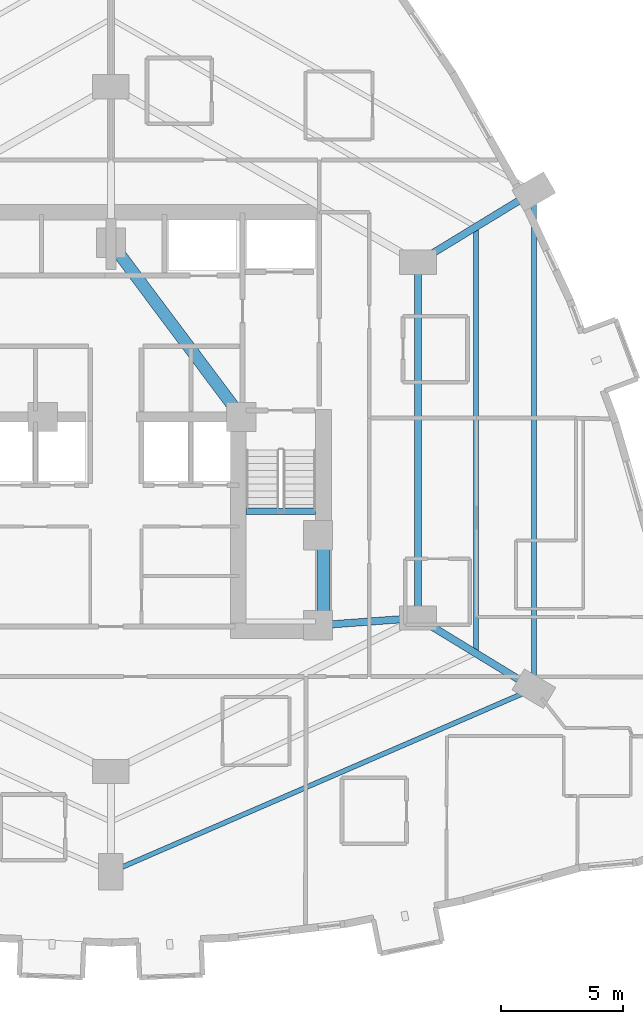
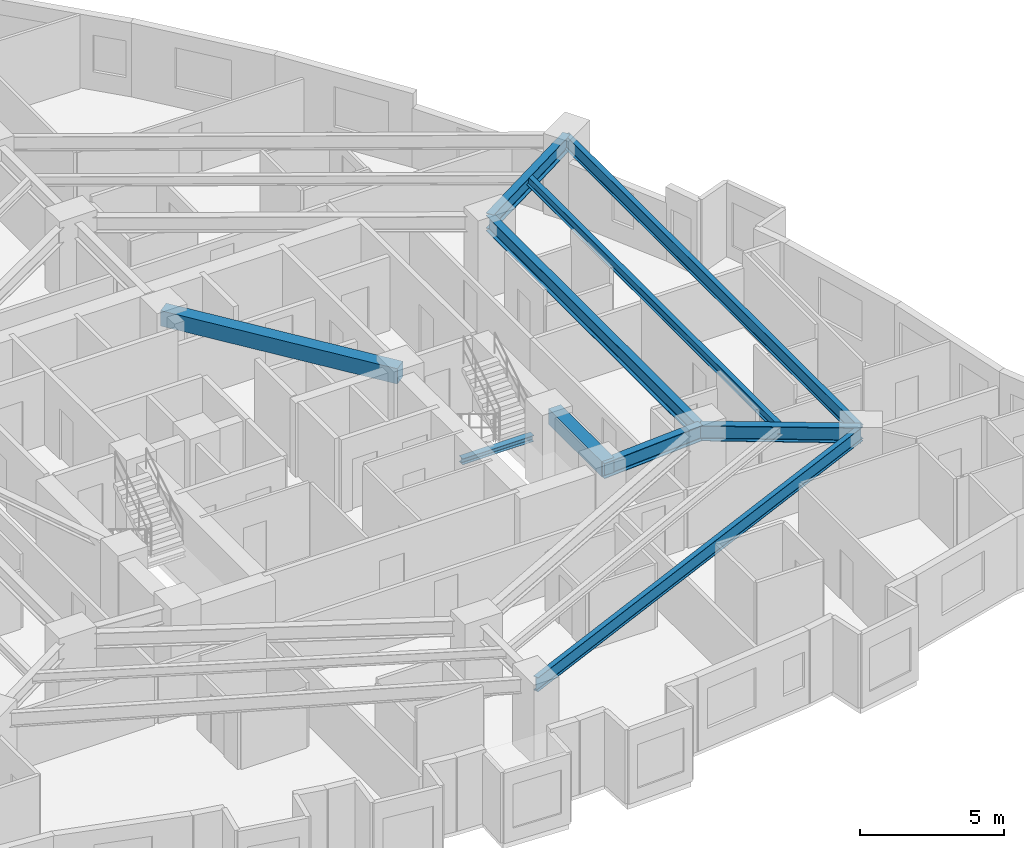
# One storey, part 3 of 17: 10 beams.
"""IFC4 building model written with IfcOpenShell, lengths in metres."""

import ifcopenshell
import ifcopenshell.guid

model = None  # the IFC model being written
_history = None  # IfcOwnerHistory: only IFC2X3 demands one
_inside = {}  # id of a spatial element -> (the spatial element, [elements in it])
_under = {}  # id of a project, library or spatial element -> (it, [spatial elements below it])
_declared = {}  # id of a project -> (the project, [libraries it declares])
_typed = {}  # id of a type object -> (the type object, [elements of that type])
_made_of = {}  # id of a material, layer set ... -> (it, [elements and type objects made of it])


def new_model(schema):
    """Start an empty IFC model of exactly this schema.

    Asked for "IFC4X3", IfcOpenShell would pick the latest addendum, in which some entities
    have other attributes; the version numbers below select the first issue.
    IFC2X3 requires an IfcOwnerHistory on every rooted entity: one is made here for all.
    """
    global model, _history
    if schema == "IFC4X3":
        model = ifcopenshell.file(schema_version=(4, 3, 0, 0))
    else:
        model = ifcopenshell.file(schema=schema)
    _inside.clear()
    _under.clear()
    _declared.clear()
    _typed.clear()
    _made_of.clear()
    _history = None
    if model.schema == "IFC2X3":
        org = make("IfcOrganization", Name="unknown")
        user = make(
            "IfcPersonAndOrganization",
            ThePerson=make("IfcPerson", FamilyName="unknown"),
            TheOrganization=org,
        )
        app = make(
            "IfcApplication",
            ApplicationDeveloper=org,
            Version="unknown",
            ApplicationFullName="unknown",
            ApplicationIdentifier="unknown",
        )
        _history = make(
            "IfcOwnerHistory",
            OwningUser=user,
            OwningApplication=app,
            ChangeAction="ADDED",
            CreationDate=0,
        )
    return model


def make(cls, **values):
    """One entity of the class cls with the attributes given. An attribute that is None is left unset."""
    return model.create_entity(
        cls, **{name: value for name, value in values.items() if value is not None}
    )


def rooted(cls, **values):
    """An entity with a GlobalId (a new one), such as an element, a storey or a relation."""
    return make(cls, GlobalId=ifcopenshell.guid.new(), OwnerHistory=_history, **values)


def si_unit(unit_type, name, prefix=None):
    """IfcSIUnit, for example si_unit("LENGTHUNIT", "METRE", prefix="MILLI")."""
    return make("IfcSIUnit", UnitType=unit_type, Prefix=prefix, Name=name)


def assignment(units):
    """IfcUnitAssignment: the units of a project."""
    return None if units is None else make("IfcUnitAssignment", Units=units)


def point(xyz):
    """IfcCartesianPoint."""
    return None if xyz is None else make("IfcCartesianPoint", Coordinates=xyz)


def direction(xyz):
    """IfcDirection."""
    return None if xyz is None else make("IfcDirection", DirectionRatios=xyz)


def frame(location, z_axis=None, x_axis=None):
    """IfcAxis2Placement3D, a coordinate frame: its origin and axes. An axis left out is left unset."""
    return make(
        "IfcAxis2Placement3D",
        Location=point(location),
        Axis=direction(z_axis),
        RefDirection=direction(x_axis),
    )


def frame_2d(location, x_axis=None):
    """IfcAxis2Placement2D, a coordinate frame in the plane: its origin and x axis."""
    return make(
        "IfcAxis2Placement2D", Location=point(location), RefDirection=direction(x_axis)
    )


def origin():
    """The frame at (0, 0, 0) with its axes left unset."""
    return frame((0.0, 0.0, 0.0))


def origin_2d():
    """The frame at (0, 0) in the plane with its x axis left unset."""
    return frame_2d((0.0, 0.0))


def place(relative_to, where):
    """IfcLocalPlacement: puts the frame where relative to a parent placement (None: the world)."""
    return make(
        "IfcLocalPlacement", PlacementRelTo=relative_to, RelativePlacement=where
    )


def context(
    kind, dimensions, precision=None, world=None, true_north=None, identifier=None
):
    """IfcGeometricRepresentationContext, for example the 3D "Model" context."""
    return make(
        "IfcGeometricRepresentationContext",
        ContextIdentifier=identifier,
        ContextType=kind,
        CoordinateSpaceDimension=dimensions,
        Precision=precision,
        WorldCoordinateSystem=world,
        TrueNorth=true_north,
    )


def subcontext(parent, identifier, kind, view, scale=None):
    """IfcGeometricRepresentationSubContext, for example "Body" below "Model"."""
    return make(
        "IfcGeometricRepresentationSubContext",
        ContextIdentifier=identifier,
        ContextType=kind,
        ParentContext=parent,
        TargetScale=scale,
        TargetView=view,
    )


def project(units=None, contexts=None):
    """IfcProject with its units and contexts."""
    return rooted(
        "IfcProject",
        Name="project",
        RepresentationContexts=contexts,
        UnitsInContext=assignment(units),
    )


def spatial(cls, under=None, at=None, **own):
    """A site, building, storey or space (cls), placed at a placement, below another one or the project."""
    s = rooted(cls, ObjectPlacement=at, **own)
    if under is not None:
        _under.setdefault(under.id(), (under, []))[1].append(s)
    return s


def profile(cls, at=None, kind="AREA", **sizes):
    """A parametric profile (cls). Its sizes go by their IFC names, for example OverallWidth=200.0."""
    return make(cls, ProfileType=kind, Position=at, **sizes)


def rectangle(**sizes):
    """IfcRectangleProfileDef."""
    return profile("IfcRectangleProfileDef", **sizes)


def i_section(**sizes):
    """IfcIShapeProfileDef."""
    return profile("IfcIShapeProfileDef", **sizes)


def extrude(swept, where, along, depth):
    """IfcExtrudedAreaSolid: the profile swept, set in the frame where, extruded along a direction by depth."""
    return make(
        "IfcExtrudedAreaSolid",
        SweptArea=swept,
        Position=where,
        ExtrudedDirection=direction(along),
        Depth=depth,
    )


def shape(context_of_items, identifier, shape_type, items):
    """IfcShapeRepresentation: the items that make up one representation, for example the "Body"."""
    return make(
        "IfcShapeRepresentation",
        ContextOfItems=context_of_items,
        RepresentationIdentifier=identifier,
        RepresentationType=shape_type,
        Items=items,
    )


def material(Name=None, Category=None):
    """IfcMaterial."""
    return make("IfcMaterial", Name=Name, Category=Category)


def material_profile(
    of_material, cross_section, Name=None, Category=None, Priority=None
):
    """IfcMaterialProfile: a cross section and its material."""
    return make(
        "IfcMaterialProfile",
        Name=Name,
        Material=of_material,
        Profile=cross_section,
        Priority=Priority,
        Category=Category,
    )


def profile_set(profiles, Name=None, composite=None):
    """IfcMaterialProfileSet."""
    return make(
        "IfcMaterialProfileSet",
        Name=Name,
        MaterialProfiles=profiles,
        CompositeProfile=composite,
    )


def made_of(thing, what):
    """Note that an element or type object is made of a material, layer set ...; save() writes the relation."""
    if what is not None:
        _made_of.setdefault(what.id(), (what, []))[1].append(thing)
    return thing


def type_object(cls, material=None, **own):
    """A type object (cls), such as IfcWallType, which elements share."""
    return made_of(rooted(cls, **own), material)


def element(
    cls,
    number,
    at=None,
    inside=None,
    cuts=None,
    type_object=None,
    material=None,
    context=None,
    identifier="Body",
    shape_type=None,
    held_by="IfcProductDefinitionShape",
    body=None,
    shapes=None,
    **own,
):
    """One element of the class cls, such as IfcWall. Its Tag is "e" and its number.

    at: its placement. inside: the storey or other place that contains it. cuts: it is an
    opening in that element (IfcRelVoidsElement). A single representation is given by context,
    identifier, shape_type and body (its items); several are given by shapes. held_by: the class
    of the entity that holds the representations. save() writes the other relations.
    """
    e = rooted(cls, Tag="e%d" % number, ObjectPlacement=at, **own)
    if body is not None:
        shapes = [shape(context, identifier, shape_type, body)]
    if shapes is not None:
        e.Representation = make(held_by, Representations=shapes)
    if inside is not None:
        _inside.setdefault(inside.id(), (inside, []))[1].append(e)
    if cuts is not None:
        rooted(
            "IfcRelVoidsElement", RelatingBuildingElement=cuts, RelatedOpeningElement=e
        )
    if type_object is not None:
        _typed.setdefault(type_object.id(), (type_object, []))[1].append(e)
    return made_of(e, material)


def aggregate(whole, parts):
    """IfcRelAggregates: a whole, such as a stair, and the parts it consists of."""
    return rooted("IfcRelAggregates", RelatingObject=whole, RelatedObjects=parts)


def save(model, path):
    """Write the relations noted so far, then the file.

    IfcRelAggregates (storeys below a building ...), IfcRelContainedInSpatialStructure (elements
    in a storey), IfcRelDefinesByType, IfcRelAssociatesMaterial and IfcRelDeclares: one each for
    every whole, place, type object, material and project.
    """
    for whole, parts in _under.values():
        aggregate(whole, parts)
    for where, things in _inside.values():
        rooted(
            "IfcRelContainedInSpatialStructure",
            RelatedElements=things,
            RelatingStructure=where,
        )
    for kind, things in _typed.values():
        rooted("IfcRelDefinesByType", RelatedObjects=things, RelatingType=kind)
    for what, things in _made_of.values():
        rooted("IfcRelAssociatesMaterial", RelatedObjects=things, RelatingMaterial=what)
    for by, libraries in _declared.values():
        rooted("IfcRelDeclares", RelatingContext=by, RelatedDefinitions=libraries)
    model.write(path)


model = new_model("IFC4")

# Units and contexts
model_context = context("Model", 3, precision=1e-05, world=origin(), true_north=direction((0.0, 1.0)))
body_context = subcontext(model_context, "Body", "Model", "MODEL_VIEW")
ifc_project = project(units=[si_unit("LENGTHUNIT", "METRE"), si_unit("AREAUNIT", "SQUARE_METRE"), si_unit("VOLUMEUNIT", "CUBIC_METRE"), si_unit("PLANEANGLEUNIT", "RADIAN"), si_unit("MASSUNIT", "GRAM", prefix="KILO")], contexts=[model_context])

# Site, building, storey
site_placement = place(None, origin())
site = spatial("IfcSite", under=ifc_project, at=site_placement, CompositionType="ELEMENT")
building_placement = place(site_placement, origin())
building = spatial("IfcBuilding", under=site, at=building_placement, Name="Miruveldt Soraemaru", CompositionType="ELEMENT")
storey_placement = place(building_placement, frame((0.0, 0.0, 53.0)))
storey = spatial("IfcBuildingStorey", under=building, at=storey_placement, Name="L14", CompositionType="ELEMENT", Elevation=53.0)

# Beams
ifc_material_1 = material(Name="Concrete C50/60 (50 MPa)", Category="concrete")
ifc_material_profile_1 = material_profile(ifc_material_1, rectangle(XDim=0.5, YDim=0.64990234375, at=origin_2d()), Name="Concrete C50/60 (50 MPa)", Category="concrete")
ifc_profile_set_1 = profile_set([ifc_material_profile_1], Name="Concrete C50/60 (50 MPa)")
beam_type_1 = type_object("IfcBeamType", Name="BM-RC-500x650", PredefinedType="BEAM", material=ifc_profile_set_1)
beam_1_placement = place(storey_placement, frame((52.72998046875, 35.5, 2.800048828125), z_axis=(0.0, 1.0, 0.0), x_axis=(-1.0, 0.0, 0.0)))
element("IfcBeam", 1, at=beam_1_placement, inside=storey, type_object=beam_type_1, Name="L14 Core Tie Beam 3", PredefinedType="BEAM", context=body_context, shape_type="SweptSolid", body=[
    extrude(rectangle(XDim=0.5, YDim=0.64990234375, at=origin_2d()), origin(), (0.0, 0.0, 1.0), 3.699951171875),
])
beam_2_placement = place(storey_placement, frame((49.35009765625, 44.050048828125, 2.800048828125), z_axis=(-0.599116023999, 0.800662219533, 0.0), x_axis=(-0.800662219533, -0.599116023999, 0.0)))
element("IfcBeam", 2, at=beam_2_placement, inside=storey, type_object=beam_type_1, Name="L14 Core Tie Beam 5", PredefinedType="BEAM", context=body_context, shape_type="SweptSolid", body=[
    extrude(rectangle(XDim=0.5, YDim=0.64990234375, at=origin_2d()), origin(), (0.0, 0.0, 1.0), 8.929931640625),
])
ifc_material_2 = material(Name="Steel SM355 (355 MPa)", Category="steel")
ifc_material_profile_2 = material_profile(ifc_material_2, i_section(OverallWidth=0.199951171875, OverallDepth=0.39990234375, WebThickness=0.008056640625, FlangeThickness=0.012939453125, FilletRadius=0.01611328125, at=origin_2d()), Name="Steel SM355 (355 MPa)", Category="steel")
ifc_profile_set_2 = profile_set([ifc_material_profile_2], Name="Steel SM355 (355 MPa)")
beam_type_2 = type_object("IfcBeamType", Name="BM-ST-H400", PredefinedType="JOIST", material=ifc_profile_set_2)
beam_3_placement = place(storey_placement, frame((58.97802734375, 51.85009765625, 2.925048828125), z_axis=(0.0, -1.0, 0.0), x_axis=(1.0, 0.0, 0.0)))
element("IfcBeam", 3, at=beam_3_placement, inside=storey, type_object=beam_type_2, Name="L14 Outer Bay Floor Joist 2", PredefinedType="JOIST", context=body_context, shape_type="SweptSolid", body=[
    extrude(i_section(OverallWidth=0.199951171875, OverallDepth=0.39990234375, WebThickness=0.008056640625, FlangeThickness=0.012939453125, FilletRadius=0.01611328125, at=origin_2d()), origin(), (0.0, 0.0, 1.0), 17.5),
])
ifc_material_profile_3 = material_profile(ifc_material_2, i_section(OverallWidth=0.199951171875, OverallDepth=0.60009765625, WebThickness=0.010986328125, FlangeThickness=0.01708984375, FilletRadius=0.02197265625, at=origin_2d()), Name="Steel SM355 (355 MPa)", Category="steel")
ifc_profile_set_3 = profile_set([ifc_material_profile_3], Name="Steel SM355 (355 MPa)")
beam_type_3 = type_object("IfcBeamType", Name="BM-ST-H600", PredefinedType="SPANDREL", material=ifc_profile_set_3)
beam_4_placement = place(storey_placement, frame((61.35595703125, 53.300048828125, 2.824951171875), z_axis=(0.0, -1.0, 0.0), x_axis=(1.0, 0.0, 0.0)))
element("IfcBeam", 4, at=beam_4_placement, inside=storey, type_object=beam_type_3, Name="L14 Zone-1 Spandrel Beam 2", PredefinedType="SPANDREL", context=body_context, shape_type="SweptSolid", body=[
    extrude(i_section(OverallWidth=0.199951171875, OverallDepth=0.60009765625, WebThickness=0.010986328125, FlangeThickness=0.01708984375, FilletRadius=0.02197265625, at=origin_2d()), origin(), (0.0, 0.0, 1.0), 20.400146484375),
])
beam_5_placement = place(storey_placement, frame((61.35595703125, 32.89990234375, 2.824951171875), z_axis=(-0.917615263736, -0.397469782195, 0.0), x_axis=(0.397469782195, -0.917615263736, 0.0)))
element("IfcBeam", 5, at=beam_5_placement, inside=storey, type_object=beam_type_3, Name="L14 Zone-1 Spandrel Beam 3", PredefinedType="SPANDREL", context=body_context, shape_type="SweptSolid", body=[
    extrude(i_section(OverallWidth=0.199951171875, OverallDepth=0.60009765625, WebThickness=0.010986328125, FlangeThickness=0.01708984375, FilletRadius=0.02197265625, at=origin_2d()), origin(), (0.0, 0.0, 1.0), 18.914306640625),
])
ifc_material_profile_4 = material_profile(ifc_material_2, i_section(OverallWidth=0.300048828125, OverallDepth=0.64990234375, WebThickness=0.012939453125, FlangeThickness=0.02197265625, FilletRadius=0.02587890625, at=origin_2d()), Name="Steel SM355 (355 MPa)", Category="steel")
ifc_profile_set_4 = profile_set([ifc_material_profile_4], Name="Steel SM355 (355 MPa)")
beam_type_4 = type_object("IfcBeamType", Name="BM-ST-H650", PredefinedType="BEAM", material=ifc_profile_set_4)
beam_6_placement = place(storey_placement, frame((56.60009765625, 50.39990234375, 2.800048828125), z_axis=(0.0, -1.0, 0.0), x_axis=(1.0, 0.0, 0.0)))
element("IfcBeam", 6, at=beam_6_placement, inside=storey, type_object=beam_type_4, Name="L14 Inner Ring Girder 2", PredefinedType="BEAM", context=body_context, shape_type="SweptSolid", body=[
    extrude(i_section(OverallWidth=0.300048828125, OverallDepth=0.64990234375, WebThickness=0.012939453125, FlangeThickness=0.02197265625, FilletRadius=0.02587890625, at=origin_2d()), origin(), (0.0, 0.0, 1.0), 14.599853515625),
])
beam_7_placement = place(storey_placement, frame((52.5, 35.5, 2.800048828125), z_axis=(0.997332985605, 0.072985723431, 0.0), x_axis=(-0.072985723431, 0.997332985605, 0.0)))
element("IfcBeam", 7, at=beam_7_placement, inside=storey, type_object=beam_type_4, Name="L14 Core-to-Inner Radial Girder 3", PredefinedType="BEAM", context=body_context, shape_type="SweptSolid", body=[
    extrude(i_section(OverallWidth=0.300048828125, OverallDepth=0.64990234375, WebThickness=0.012939453125, FlangeThickness=0.02197265625, FilletRadius=0.02587890625, at=origin_2d()), origin(), (0.0, 0.0, 1.0), 4.111083984375),
])
for number, where, z_axis, x_axis, name in (
    (8, (56.60009765625, 50.39990234375, 2.800048828125), (0.853777644156, 0.520637814935, 0.0), (-0.520637814935, 0.853777644156, 0.0), "L14 Zone-1 Radial Girder 2"),
    (9, (56.60009765625, 35.800048828125, 2.800048828125), (0.853777644156, -0.520637814935, 0.0), (0.520637814935, 0.853777644156, 0.0), "L14 Zone-1 Radial Girder 3"),
):
    element("IfcBeam", number, at=place(storey_placement, frame(where, z_axis=z_axis, x_axis=x_axis)), inside=storey, type_object=beam_type_4, Name=name, PredefinedType="BEAM", context=body_context, shape_type="SweptSolid", body=[
        extrude(i_section(OverallWidth=0.300048828125, OverallDepth=0.64990234375, WebThickness=0.012939453125, FlangeThickness=0.02197265625, FilletRadius=0.02587890625, at=origin_2d()), origin(), (0.0, 0.0, 1.0), 5.5703125),
    ])
ifc_material_profile_5 = material_profile(ifc_material_2, i_section(OverallWidth=0.25, OverallDepth=0.25, WebThickness=0.009033203125, FlangeThickness=0.013916015625, FilletRadius=0.01611328125, at=origin_2d()), Name="Steel SM355 (355 MPa)", Category="steel")
ifc_profile_set_5 = profile_set([ifc_material_profile_5], Name="Steel SM355 (355 MPa)")
beam_type_5 = type_object("IfcBeamType", Name="BM-ST-LND250", PredefinedType="BEAM", material=ifc_profile_set_5)
beam_8_placement = place(storey_placement, frame((49.550048828125, 40.179931640625, 1.375), z_axis=(1.0, 0.0, 0.0), x_axis=(0.0, 1.0, 0.0)))
element("IfcBeam", 10, at=beam_8_placement, inside=storey, type_object=beam_type_5, Name="L14 ST2 Landing Support Beam 1A", PredefinedType="BEAM", context=body_context, shape_type="SweptSolid", body=[
    extrude(i_section(OverallWidth=0.25, OverallDepth=0.25, WebThickness=0.009033203125, FlangeThickness=0.013916015625, FilletRadius=0.01611328125, at=origin_2d()), origin(), (0.0, 0.0, 1.0), 2.849853515625),
])

save(model, "model.ifc")
